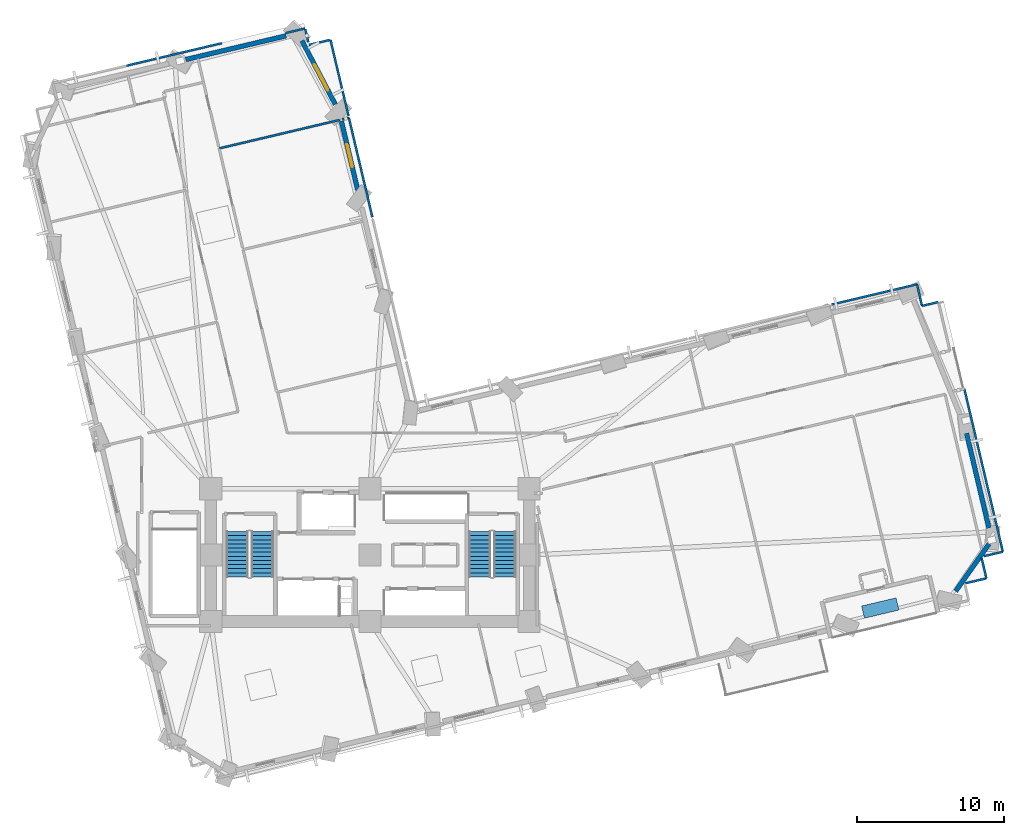
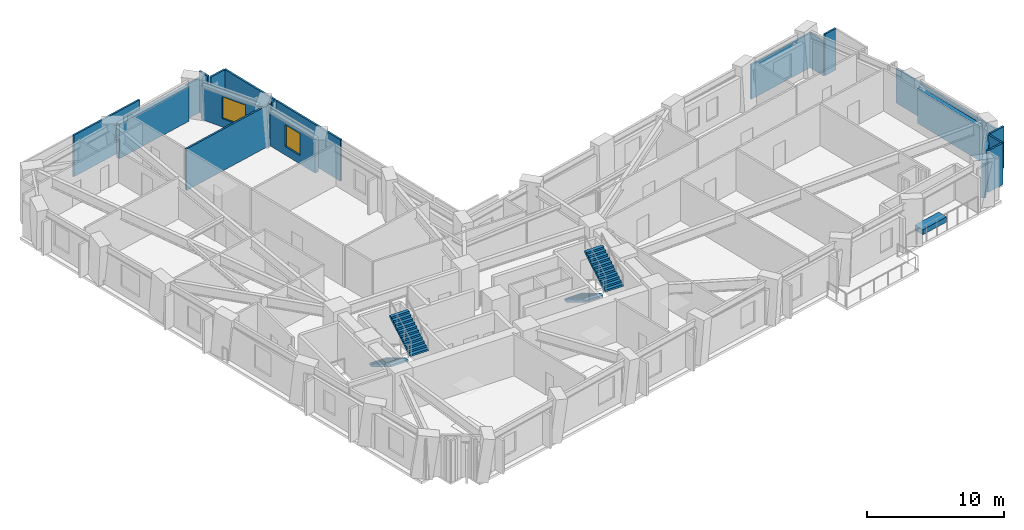
# One storey, part 10 of 14: 20 walls, 4 stair flights, 2 windows, 1 discrete accessory, 2 openings, 2 elements without a shape of their own.
"""IFC4 building model written with IfcOpenShell, lengths in metres."""

from ifc_helpers import new_model, si_unit, direction, frame, frame_2d, origin, origin_2d, place, context, subcontext, project, spatial, polyline, rectangle, outline, extrude, material, layer, layer_set, type_object, element, fill, aggregate, save


model = new_model("IFC4")

# Units and contexts
model_context = context("Model", 3, precision=1e-05, world=origin(), true_north=direction((0.0, 1.0)))
body_context = subcontext(model_context, "Body", "Model", "MODEL_VIEW")
ifc_project = project(units=[si_unit("LENGTHUNIT", "METRE"), si_unit("AREAUNIT", "SQUARE_METRE"), si_unit("VOLUMEUNIT", "CUBIC_METRE"), si_unit("PLANEANGLEUNIT", "RADIAN"), si_unit("MASSUNIT", "GRAM", prefix="KILO")], contexts=[model_context])

# Site, building, storey
site_placement = place(None, origin())
site = spatial("IfcSite", under=ifc_project, at=site_placement, CompositionType="ELEMENT")
building_placement = place(site_placement, origin())
building = spatial("IfcBuilding", under=site, at=building_placement, Name="Gaonmaruhae Medical Tower", CompositionType="ELEMENT")
storey_placement = place(building_placement, frame((0.0, 0.0, 79.0)))
storey = spatial("IfcBuildingStorey", under=building, at=storey_placement, Name="L18", CompositionType="ELEMENT", Elevation=79.0)

# Walls
ifc_material_1 = material(Name="Precast concrete C45/55", Category="concrete")
ifc_layer_1 = layer(ifc_material_1, 0.320068359375)
ifc_layer_set_1 = layer_set([ifc_layer_1], Name="Precast concrete C45/55")
wall_type_1 = type_object("IfcWallType", Name="EW-320 Lower Precast Masonry-Frame Facade Wall", PredefinedType="SOLIDWALL", material=ifc_layer_set_1)
wall_1_placement = place(storey_placement, frame((66.800048828125, 13.059814453125, 0.0), z_axis=(0.0, 0.0, 1.0), x_axis=(-0.577144343994, -0.816642153085, 0.0)))
element("IfcWall", 1, at=wall_1_placement, inside=storey, type_object=wall_type_1, Name="L18 Precast Masonry-Frame Wall S08-E01", PredefinedType="SOLIDWALL", context=body_context, shape_type="SweptSolid", body=[
    extrude(rectangle(XDim=3.927734375, YDim=0.320068359375, at=frame_2d((1.9638671875, 0.0))), origin(), (0.0, 0.0, 1.0), 3.0849609375),
])
wall_2_placement = place(storey_placement, frame((65.272705078125, 20.56982421875, 0.0), z_axis=(0.0, 0.0, 1.0), x_axis=(0.230027361935, -0.973184161791, 0.0)))
element("IfcWall", 2, at=wall_2_placement, inside=storey, type_object=wall_type_1, Name="L18 Precast Masonry-Frame Wall E01-E02", PredefinedType="SOLIDWALL", context=body_context, shape_type="SweptSolid", body=[
    extrude(rectangle(XDim=6.610107421875, YDim=0.320068359375, at=frame_2d((3.30517578125, 0.0))), origin(), (0.0, 0.0, 1.0), 3.0849609375),
])

# Wall, opening, window
wall_3_placement = place(storey_placement, frame((23.972412109375, 37.055908203125, 0.0), z_axis=(0.0, 0.0, 1.0), x_axis=(-0.230076078853, 0.973172645495, 0.0)))
wall_3 = element("IfcWall", 3, at=wall_3_placement, inside=storey, type_object=wall_type_1, Name="L18 Precast Masonry-Frame Wall NE02-NE03", PredefinedType="SOLIDWALL", context=body_context, shape_type="SweptSolid", body=[
    extrude(rectangle(XDim=4.81640625, YDim=0.320068359375, at=frame_2d((2.408203125, 0.0))), origin(), (0.0, 0.0, 1.0), 3.0849609375),
])
opening_1_placement = place(wall_3_placement, frame((1.605712890625, 0.0, 0.75)))
opening_1 = element("IfcOpeningElement", 4, at=opening_1_placement, cuts=wall_3, Name="Opening WN-01", PredefinedType="OPENING", context=body_context, shape_type="SweptSolid", body=[
    extrude(rectangle(XDim=1.60009765625, YDim=1.949951171875, at=frame_2d((0.800048828125, 0.97509765625))), frame((0.0, 0.169921875, 0.0), z_axis=(0.0, -1.0, 0.0), x_axis=(1.0, 0.0, 0.0)), (0.0, 0.0, 1.0), 0.340087890625),
])
ifc_material_2 = material(Name="Anodised aluminium and Low-E double glazing", Category="aluminium")
window_type_1 = type_object("IfcWindowType", Name="WN-01 Ward Punched Acoustic Window 1600x1950", PartitioningType="SINGLE_PANEL", PredefinedType="WINDOW", material=ifc_material_2)
window_1_placement = place(opening_1_placement, origin())
window_1 = element("IfcWindow", 5, at=window_1_placement, inside=storey, type_object=window_type_1, Name="L18 Modular Facade Window NE02", OverallHeight=1.949951171875, OverallWidth=1.60009765625, PartitioningType="SINGLE_PANEL", PredefinedType="WINDOW", context=body_context, shape_type="SweptSolid", body=[
    extrude(rectangle(XDim=1.60009765625, YDim=1.949951171875, at=frame_2d((0.800048828125, 0.97509765625))), frame((0.0, 0.030029296875, 0.0), z_axis=(0.0, -1.0, 0.0), x_axis=(1.0, 0.0, 0.0)), (0.0, 0.0, 1.0), 0.06005859375),
])
fill(opening_1, window_1)

wall_4_placement = place(storey_placement, frame((20.180908203125, 47.201416015625, 0.0), z_axis=(0.0, 0.0, 1.0), x_axis=(0.464527536286, -0.885558675657, 0.0)))
wall_4 = element("IfcWall", 6, at=wall_4_placement, inside=storey, type_object=wall_type_1, Name="L18 Precast Masonry-Frame Wall NE03-N01", PredefinedType="SOLIDWALL", context=body_context, shape_type="SweptSolid", body=[
    extrude(rectangle(XDim=4.888916015625, YDim=0.320068359375, at=frame_2d((2.4443359375, 0.0))), origin(), (0.0, 0.0, 1.0), 3.0849609375),
])
opening_2_placement = place(wall_4_placement, frame((1.814697265625, 0.0, 0.75)))
opening_2 = element("IfcOpeningElement", 7, at=opening_2_placement, cuts=wall_4, Name="Opening WN-02", PredefinedType="OPENING", context=body_context, shape_type="SweptSolid", body=[
    extrude(rectangle(XDim=2.0, YDim=1.949951171875, at=frame_2d((1.0, 0.97509765625))), frame((0.0, 0.169921875, 0.0), z_axis=(0.0, -1.0, 0.0), x_axis=(1.0, 0.0, 0.0)), (0.0, 0.0, 1.0), 0.340087890625),
])
window_type_2 = type_object("IfcWindowType", Name="WN-02 Double-Bed Ward Punched Window 2000x1950", PartitioningType="SINGLE_PANEL", PredefinedType="WINDOW", material=ifc_material_2)
window_2_placement = place(opening_2_placement, origin())
window_2 = element("IfcWindow", 8, at=window_2_placement, inside=storey, type_object=window_type_2, Name="L18 Modular Facade Window NE03", OverallHeight=1.949951171875, OverallWidth=2.0, PartitioningType="SINGLE_PANEL", PredefinedType="WINDOW", context=body_context, shape_type="SweptSolid", body=[
    extrude(rectangle(XDim=2.0, YDim=1.949951171875, at=frame_2d((1.0, 0.97509765625))), frame((0.0, 0.030029296875, 0.0), z_axis=(0.0, -1.0, 0.0), x_axis=(1.0, 0.0, 0.0)), (0.0, 0.0, 1.0), 0.06005859375),
])
fill(opening_2, window_2)

# Walls
wall_5_placement = place(storey_placement, frame((12.30322265625, 45.9169921875, 0.0), z_axis=(0.0, 0.0, 1.0), x_axis=(0.973179362637, 0.230047664925, 0.0)))
element("IfcWall", 9, at=wall_5_placement, inside=storey, type_object=wall_type_1, Name="L18 Precast Masonry-Frame Wall N01-N02", PredefinedType="SOLIDWALL", context=body_context, shape_type="SweptSolid", body=[
    extrude(rectangle(XDim=7.003173828125, YDim=0.320068359375, at=frame_2d((3.50146484375, 0.0))), origin(), (0.0, 0.0, 1.0), 3.0849609375),
])
ifc_material_3 = material(Name="Gypsum board partition", Category="gypsum")
ifc_layer_2 = layer(ifc_material_3, 0.14990234375)
ifc_layer_set_2 = layer_set([ifc_layer_2], Name="Gypsum board partition")
wall_type_2 = type_object("IfcWallType", Name="PW-150 Rated Clinical Corridor Partition", PredefinedType="PARTITIONING", material=ifc_layer_set_2)
wall_6_placement = place(storey_placement, frame((66.625, 10.719970703125, 0.0), z_axis=(0.0, 0.0, 1.0), x_axis=(-0.973201169856, -0.229955393479, 0.0)))
element("IfcWall", 10, at=wall_6_placement, inside=storey, type_object=wall_type_2, Name="L18 Interior Partition L18-SUP08-37", PredefinedType="PARTITIONING", context=body_context, shape_type="SweptSolid", body=[
    extrude(rectangle(XDim=1.500244140625, YDim=0.14990234375, at=frame_2d((0.75, 0.0))), origin(), (0.0, 0.0, 1.0), 3.699951171875),
])
wall_7_placement = place(storey_placement, frame((66.2958984375, 12.112060546875, 0.0), z_axis=(0.0, 0.0, 1.0), x_axis=(0.230066598953, -0.97317488667, 0.0)))
element("IfcWall", 11, at=wall_7_placement, inside=storey, type_object=wall_type_2, Name="L18 Interior Partition L18-SUP08-42", PredefinedType="PARTITIONING", context=body_context, shape_type="SweptSolid", body=[
    extrude(rectangle(XDim=1.430419921875, YDim=0.14990234375, at=frame_2d((0.71533203125, 0.0))), origin(), (0.0, 0.0, 1.0), 3.699951171875),
])
wall_8_placement = place(storey_placement, frame((62.25390625, 29.2099609375, 0.0), z_axis=(0.0, 0.0, 1.0), x_axis=(0.973222963846, 0.22986313894, 0.0)))
element("IfcWall", 12, at=wall_8_placement, inside=storey, type_object=wall_type_2, Name="L18 Interior Partition L18-IE04-73", PredefinedType="PARTITIONING", context=body_context, shape_type="SweptSolid", body=[
    extrude(rectangle(XDim=1.1396484375, YDim=0.14990234375, at=frame_2d((0.56982421875, 0.0))), origin(), (0.0, 0.0, 1.0), 3.699951171875),
])
wall_9_placement = place(storey_placement, frame((56.10498046875, 29.298095703125, 0.0), z_axis=(0.0, 0.0, 1.0), x_axis=(0.973185279241, 0.230022634251, 0.0)))
element("IfcWall", 13, at=wall_9_placement, inside=storey, type_object=wall_type_2, Name="L18 Interior Partition L18-IE04-78", PredefinedType="PARTITIONING", context=body_context, shape_type="SweptSolid", body=[
    extrude(rectangle(XDim=5.9638671875, YDim=0.14990234375, at=frame_2d((2.98193359375, 0.0))), origin(), (0.0, 0.0, 1.0), 3.0849609375),
])
wall_10_placement = place(storey_placement, frame((61.908935546875, 30.669921875, 0.0), z_axis=(0.0, 0.0, 1.0), x_axis=(0.229955393479, -0.973201169856, 0.0)))
element("IfcWall", 14, at=wall_10_placement, inside=storey, type_object=wall_type_2, Name="L18 Interior Partition L18-IE04-79", PredefinedType="PARTITIONING", context=body_context, shape_type="SweptSolid", body=[
    extrude(rectangle(XDim=1.500244140625, YDim=0.14990234375, at=frame_2d((0.75, 0.0))), origin(), (0.0, 0.0, 1.0), 3.0849609375),
])
wall_11_placement = place(storey_placement, frame((14.569091796875, 39.886962890625, 0.0), z_axis=(0.0, 0.0, 1.0), x_axis=(0.973198198555, 0.229967968052, 0.0)))
element("IfcWall", 15, at=wall_11_placement, inside=storey, type_object=wall_type_2, Name="L18 Interior Partition L18-IN02-84", PredefinedType="PARTITIONING", context=body_context, shape_type="SweptSolid", body=[
    extrude(rectangle(XDim=8.41015625, YDim=0.14990234375, at=frame_2d((4.205078125, 0.0))), origin(), (0.0, 0.0, 1.0), 3.699951171875),
])
wall_12_placement = place(storey_placement, frame((22.927978515625, 41.862060546875, 0.0), z_axis=(0.0, 0.0, 1.0), x_axis=(0.973152225554, 0.230162433728, 0.0)))
element("IfcWall", 16, at=wall_12_placement, inside=storey, type_object=wall_type_2, Name="L18 Interior Partition L18-IN02-85", PredefinedType="PARTITIONING", context=body_context, shape_type="SweptSolid", body=[
    extrude(rectangle(XDim=0.46044921875, YDim=0.14990234375, at=frame_2d((0.230224609375, 0.0))), origin(), (0.0, 0.0, 1.0), 3.699951171875),
])
wall_13_placement = place(storey_placement, frame((23.3759765625, 41.968017578125, 0.0), z_axis=(0.0, 0.0, 1.0), x_axis=(0.230023027249, -0.973185186352, 0.0)))
element("IfcWall", 17, at=wall_13_placement, inside=storey, type_object=wall_type_2, Name="L18 Interior Partition L18-IN02-86", PredefinedType="PARTITIONING", context=body_context, shape_type="SweptSolid", body=[
    extrude(rectangle(XDim=6.9296875, YDim=0.14990234375, at=frame_2d((3.46484375, 0.0))), origin(), (0.0, 0.0, 1.0), 3.699951171875),
])
wall_14_placement = place(storey_placement, frame((22.125, 47.262939453125, 0.0), z_axis=(0.0, 0.0, 1.0), x_axis=(0.230067330592, -0.973174713705, 0.0)))
element("IfcWall", 18, at=wall_14_placement, inside=storey, type_object=wall_type_2, Name="L18 Interior Partition L18-IN03-87", PredefinedType="PARTITIONING", context=body_context, shape_type="SweptSolid", body=[
    extrude(rectangle(XDim=5.32080078125, YDim=0.14990234375, at=frame_2d((2.660400390625, 0.0))), origin(), (0.0, 0.0, 1.0), 3.699951171875),
])
wall_15_placement = place(storey_placement, frame((19.074951171875, 47.712890625, 0.0), z_axis=(0.0, 0.0, 1.0), x_axis=(0.973137266484, 0.230225673155, 0.0)))
element("IfcWall", 19, at=wall_15_placement, inside=storey, type_object=wall_type_2, Name="L18 Interior Partition L18-IN03-89", PredefinedType="PARTITIONING", context=body_context, shape_type="SweptSolid", body=[
    extrude(rectangle(XDim=1.36474609375, YDim=0.14990234375, at=frame_2d((0.682373046875, 0.0))), origin(), (0.0, 0.0, 1.0), 3.0849609375),
])
wall_16_placement = place(storey_placement, frame((20.4140625, 47.97802734375, 0.0), z_axis=(0.0, 0.0, 1.0), x_axis=(0.230108003327, -0.973165097404, 0.0)))
element("IfcWall", 20, at=wall_16_placement, inside=storey, type_object=wall_type_2, Name="L18 Interior Partition L18-IN03-90", PredefinedType="PARTITIONING", context=body_context, shape_type="SweptSolid", body=[
    extrude(rectangle(XDim=0.916748046875, YDim=0.14990234375, at=frame_2d((0.45849609375, 0.0))), origin(), (0.0, 0.0, 1.0), 3.699951171875),
])
wall_17_placement = place(storey_placement, frame((20.6650390625, 46.91796875, 0.0), z_axis=(0.0, 0.0, 1.0), x_axis=(0.97310711236, 0.23035309391, 0.0)))
element("IfcWall", 21, at=wall_17_placement, inside=storey, type_object=wall_type_2, Name="L18 Interior Partition L18-IN03-91", PredefinedType="PARTITIONING", context=body_context, shape_type="SweptSolid", body=[
    extrude(rectangle(XDim=1.449951171875, YDim=0.14990234375, at=frame_2d((0.72509765625, 0.0))), origin(), (0.0, 0.0, 1.0), 3.699951171875),
])
wall_18_placement = place(storey_placement, frame((8.2890625, 45.501953125, 0.0), z_axis=(0.0, 0.0, 1.0), x_axis=(0.973152723779, 0.230160327166, 0.0)))
element("IfcWall", 22, at=wall_18_placement, inside=storey, type_object=wall_type_2, Name="L18 Interior Partition L18-RM02-99", PredefinedType="PARTITIONING", context=body_context, shape_type="SweptSolid", body=[
    extrude(rectangle(XDim=6.63916015625, YDim=0.14990234375, at=frame_2d((3.319580078125, 0.0))), origin(), (0.0, 0.0, 1.0), 3.699951171875),
])
wall_19_placement = place(storey_placement, frame((65.1240234375, 23.590087890625, 0.0), z_axis=(0.0, 0.0, 1.0), x_axis=(0.230072041228, -0.973173600056, 0.0)))
element("IfcWall", 23, at=wall_19_placement, inside=storey, type_object=wall_type_2, Name="L18 Interior Partition L18-RM03-101", PredefinedType="PARTITIONING", context=body_context, shape_type="SweptSolid", body=[
    extrude(rectangle(XDim=11.3701171875, YDim=0.14990234375, at=frame_2d((5.68505859375, 0.0))), origin(), (0.0, 0.0, 1.0), 3.0849609375),
])
wall_20_placement = place(storey_placement, frame((67.739990234375, 12.52490234375, 0.0), z_axis=(0.0, 0.0, 1.0), x_axis=(-0.973079212257, -0.230470923704, 0.0)))
element("IfcWall", 24, at=wall_20_placement, inside=storey, type_object=wall_type_2, Name="L18 Interior Partition L18-RM03-102", PredefinedType="PARTITIONING", context=body_context, shape_type="SweptSolid", body=[
    extrude(rectangle(XDim=1.340087890625, YDim=0.14990234375, at=frame_2d((0.669921875, 0.0))), origin(), (0.0, 0.0, 1.0), 3.699951171875),
])

# Stair, stair flights
ifc_material_4 = material(Name="Concrete C40/50", Category="concrete")
stair_type = type_object("IfcStairType", Name="ST-T1 Primary Core Escape Dogleg Stair", PredefinedType="TWO_QUARTER_TURN_STAIR", material=ifc_material_4)
stair_1_placement = place(storey_placement, origin())
stair_1 = element("IfcStair", 25, at=stair_1_placement, inside=storey, type_object=stair_type, Name="L18 Protected Escape Stair ST-01", PredefinedType="TWO_QUARTER_TURN_STAIR")
stair_flight_type = type_object("IfcStairFlightType", Name="SF-T1 Primary Core Precast Stair Flight", PredefinedType="STRAIGHT", material=ifc_material_4)
stair_flight_1_placement = place(storey_placement, frame((15.800048828125, 13.89990234375, 0.0), z_axis=(0.0, 0.0, 1.0), x_axis=(0.0, -1.0, 0.0)))
stair_flight_1 = element("IfcStairFlight", 26, at=stair_flight_1_placement, type_object=stair_flight_type, Name="ST-01 flight 1", NumberOfRisers=12, NumberOfTreads=11, PredefinedType="STRAIGHT", RiserHeight=0.166666667, TreadLength=0.28, context=body_context, shape_type="SweptSolid", body=[
    extrude(outline(polyline([(0.0, 0.0), (0.0, 0.166748046875), (0.280029296875, 0.166748046875), (0.280029296875, 0.333251953125), (0.56005859375, 0.333251953125), (0.56005859375, 0.5), (0.840087890625, 0.5), (0.840087890625, 0.666748046875), (1.1201171875, 0.666748046875), (1.1201171875, 0.833251953125), (1.39990234375, 0.833251953125), (1.39990234375, 1.0), (1.679931640625, 1.0), (1.679931640625, 1.166748046875), (1.9599609375, 1.166748046875), (1.9599609375, 1.333251953125), (2.239990234375, 1.333251953125), (2.239990234375, 1.5), (2.52001953125, 1.5), (2.52001953125, 1.666748046875), (2.800048828125, 1.666748046875), (2.800048828125, 1.833251953125), (3.080078125, 1.833251953125), (3.080078125, 2.0), (3.080078125, 1.658935546875), (0.29296875, 0.0), (0.0, 0.0)])), frame((0.0, 0.75, 0.0), z_axis=(0.0, -1.0, 0.0), x_axis=(1.0, 0.0, 0.0)), (0.0, 0.0, 1.0), 1.5),
])
stair_flight_2_placement = place(storey_placement, frame((17.5, 10.820068359375, 2.0), z_axis=(0.0, 0.0, 1.0), x_axis=(0.0, 1.0, 0.0)))
stair_flight_2 = element("IfcStairFlight", 27, at=stair_flight_2_placement, type_object=stair_flight_type, Name="ST-01 flight 2", NumberOfRisers=12, NumberOfTreads=11, PredefinedType="STRAIGHT", RiserHeight=0.166666667, TreadLength=0.28, context=body_context, shape_type="SweptSolid", body=[
    extrude(outline(polyline([(0.0, 0.0), (0.0, 0.166748046875), (0.280029296875, 0.166748046875), (0.280029296875, 0.333251953125), (0.56005859375, 0.333251953125), (0.56005859375, 0.5), (0.840087890625, 0.5), (0.840087890625, 0.666748046875), (1.1201171875, 0.666748046875), (1.1201171875, 0.833251953125), (1.39990234375, 0.833251953125), (1.39990234375, 1.0), (1.679931640625, 1.0), (1.679931640625, 1.166748046875), (1.9599609375, 1.166748046875), (1.9599609375, 1.333251953125), (2.239990234375, 1.333251953125), (2.239990234375, 1.5), (2.52001953125, 1.5), (2.52001953125, 1.666748046875), (2.800048828125, 1.666748046875), (2.800048828125, 1.833251953125), (3.080078125, 1.833251953125), (3.080078125, 2.0), (3.080078125, 1.658935546875), (0.29296875, 0.0), (0.0, 0.0)])), frame((0.0, 0.75, 0.0), z_axis=(0.0, -1.0, 0.0), x_axis=(1.0, 0.0, 0.0)), (0.0, 0.0, 1.0), 1.5),
])
aggregate(stair_1, [stair_flight_1, stair_flight_2])

stair_2_placement = place(storey_placement, origin())
stair_2 = element("IfcStair", 28, at=stair_2_placement, inside=storey, type_object=stair_type, Name="L18 Protected Escape Stair ST-02", PredefinedType="TWO_QUARTER_TURN_STAIR")
stair_flight_3_placement = place(storey_placement, frame((32.25, 13.89990234375, 0.0), z_axis=(0.0, 0.0, 1.0), x_axis=(0.0, -1.0, 0.0)))
stair_flight_3 = element("IfcStairFlight", 29, at=stair_flight_3_placement, type_object=stair_flight_type, Name="ST-02 flight 1", NumberOfRisers=12, NumberOfTreads=11, PredefinedType="STRAIGHT", RiserHeight=0.166666667, TreadLength=0.28, context=body_context, shape_type="SweptSolid", body=[
    extrude(outline(polyline([(0.0, 0.0), (0.0, 0.166748046875), (0.280029296875, 0.166748046875), (0.280029296875, 0.333251953125), (0.56005859375, 0.333251953125), (0.56005859375, 0.5), (0.840087890625, 0.5), (0.840087890625, 0.666748046875), (1.1201171875, 0.666748046875), (1.1201171875, 0.833251953125), (1.39990234375, 0.833251953125), (1.39990234375, 1.0), (1.679931640625, 1.0), (1.679931640625, 1.166748046875), (1.9599609375, 1.166748046875), (1.9599609375, 1.333251953125), (2.239990234375, 1.333251953125), (2.239990234375, 1.5), (2.52001953125, 1.5), (2.52001953125, 1.666748046875), (2.800048828125, 1.666748046875), (2.800048828125, 1.833251953125), (3.080078125, 1.833251953125), (3.080078125, 2.0), (3.080078125, 1.658935546875), (0.29296875, 0.0), (0.0, 0.0)])), frame((0.0, 0.75, 0.0), z_axis=(0.0, -1.0, 0.0), x_axis=(1.0, 0.0, 0.0)), (0.0, 0.0, 1.0), 1.5),
])
stair_flight_4_placement = place(storey_placement, frame((33.949951171875, 10.820068359375, 2.0), z_axis=(0.0, 0.0, 1.0), x_axis=(0.0, 1.0, 0.0)))
stair_flight_4 = element("IfcStairFlight", 30, at=stair_flight_4_placement, type_object=stair_flight_type, Name="ST-02 flight 2", NumberOfRisers=12, NumberOfTreads=11, PredefinedType="STRAIGHT", RiserHeight=0.166666667, TreadLength=0.28, context=body_context, shape_type="SweptSolid", body=[
    extrude(outline(polyline([(0.0, 0.0), (0.0, 0.166748046875), (0.280029296875, 0.166748046875), (0.280029296875, 0.333251953125), (0.56005859375, 0.333251953125), (0.56005859375, 0.5), (0.840087890625, 0.5), (0.840087890625, 0.666748046875), (1.1201171875, 0.666748046875), (1.1201171875, 0.833251953125), (1.39990234375, 0.833251953125), (1.39990234375, 1.0), (1.679931640625, 1.0), (1.679931640625, 1.166748046875), (1.9599609375, 1.166748046875), (1.9599609375, 1.333251953125), (2.239990234375, 1.333251953125), (2.239990234375, 1.5), (2.52001953125, 1.5), (2.52001953125, 1.666748046875), (2.800048828125, 1.666748046875), (2.800048828125, 1.833251953125), (3.080078125, 1.833251953125), (3.080078125, 2.0), (3.080078125, 1.658935546875), (0.29296875, 0.0), (0.0, 0.0)])), frame((0.0, 0.75, 0.0), z_axis=(0.0, -1.0, 0.0), x_axis=(1.0, 0.0, 0.0)), (0.0, 0.0, 1.0), 1.5),
])
aggregate(stair_2, [stair_flight_3, stair_flight_4])

# Discrete accessory
discrete_accessory_type = type_object("IfcDiscreteAccessoryType", Name="PLN-01 Sky Garden Precast Botanical Planter", PredefinedType="USERDEFINED", material=ifc_material_1)
discrete_accessory_placement = place(storey_placement, frame((59.41943359375, 8.708251953125, 0.0), z_axis=(0.0, 0.0, 1.0), x_axis=(0.973178872777, 0.230049737188, 0.0)))
element("IfcDiscreteAccessory", 31, at=discrete_accessory_placement, inside=storey, type_object=discrete_accessory_type, Name="L18 Sky Garden Botanical Planter SLB-L18-TER", ObjectType="PLANTER", PredefinedType="USERDEFINED", context=body_context, shape_type="SweptSolid", body=[
    extrude(rectangle(XDim=2.39990234375, YDim=0.85009765625, at=origin_2d()), origin(), (0.0, 0.0, 1.0), 0.449951171875),
])

save(model, "model.ifc")
